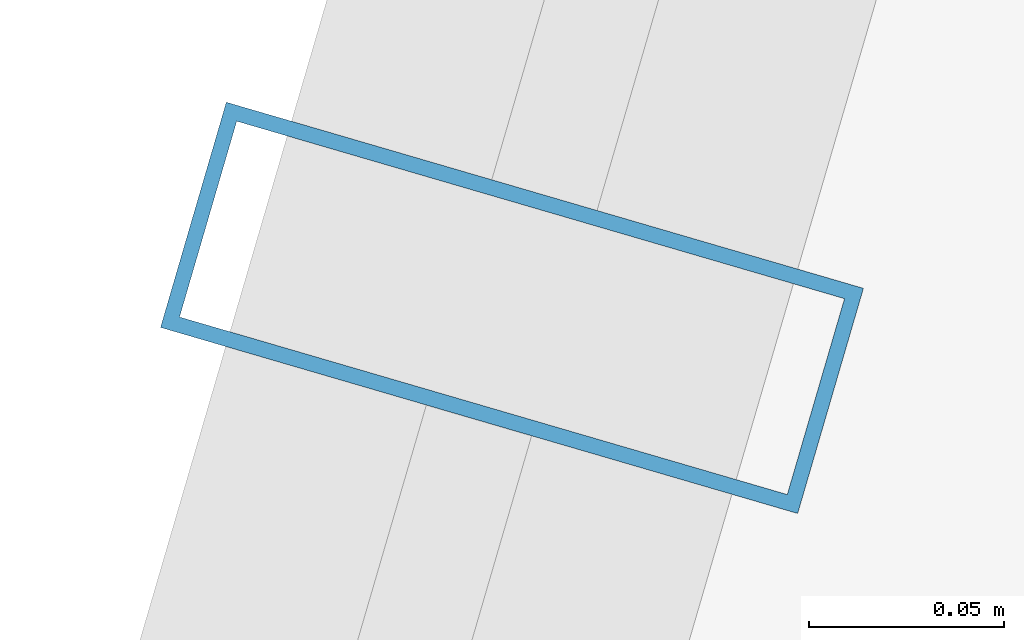
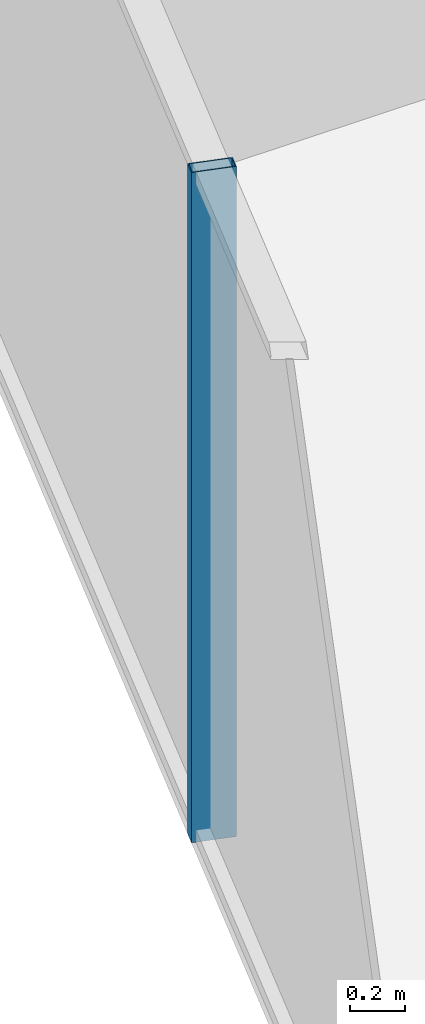
# One storey, part 10 of 37: 1 member, 1 element without a shape of its own.
"""IFC4 building model written with IfcOpenShell, lengths in metres."""

from ifc_helpers import new_model, si_unit, direction, frame, origin, origin_2d, place, context, subcontext, project, spatial, hollow_rectangle, extrude, source, transform, mapped, material, layer, layer_set, material_profile, profile_set, type_object, element, aggregate, save


model = new_model("IFC4")

# Units and contexts
model_context = context("Model", 3, precision=1e-05, world=origin(), true_north=direction((0.0, 1.0)))
body_context = subcontext(model_context, "Body", "Model", "MODEL_VIEW")
ifc_project = project(units=[si_unit("LENGTHUNIT", "METRE"), si_unit("AREAUNIT", "SQUARE_METRE"), si_unit("VOLUMEUNIT", "CUBIC_METRE"), si_unit("PLANEANGLEUNIT", "RADIAN"), si_unit("MASSUNIT", "GRAM", prefix="KILO")], contexts=[model_context])

# Site, building, storey
site_placement = place(None, origin())
site = spatial("IfcSite", under=ifc_project, at=site_placement, CompositionType="ELEMENT")
building_placement = place(site_placement, origin())
building = spatial("IfcBuilding", under=site, at=building_placement, Name="Veraguas Prism Commons", CompositionType="ELEMENT")
storey_placement = place(building_placement, frame((0.0, 0.0, 70.60009765625)))
storey = spatial("IfcBuildingStorey", under=building, at=storey_placement, Name="L19", CompositionType="ELEMENT", Elevation=70.60009765625)

# Curtain wall, member
ifc_material = material(Name="Anodised aluminium EN AW-6063 T6", Category="aluminium")
ifc_layer = layer(ifc_material, 0.169921875, Name="Unitised Flush Curtain Wall Zone 1", Category="aluminium")
ifc_layer_set = layer_set([ifc_layer], Name="Anodised aluminium EN AW-6063 T6")
curtain_wall_type = type_object("IfcCurtainWallType", Name="Unitised Flush Curtain Wall Zone 1", PredefinedType="NOTDEFINED", material=ifc_layer_set)
curtain_wall_placement = place(storey_placement, origin())
curtain_wall = element("IfcCurtainWall", 1, at=curtain_wall_placement, inside=storey, type_object=curtain_wall_type, Name="Tower Facade Curtain Wall L19-F3", PredefinedType="NOTDEFINED")
ifc_material_profile = material_profile(ifc_material, hollow_rectangle(XDim=0.06005859375, YDim=0.169921875, WallThickness=0.00390625, at=origin_2d()), Name="AL60X170X4")
ifc_profile_set = profile_set([ifc_material_profile], Name="Anodised aluminium EN AW-6063 T6")
member_type = type_object("IfcMemberType", Name="Curtain Wall Mullion Lower AL 60x170x4", PredefinedType="MULLION", material=ifc_profile_set)
shared_shape = source(origin(), body_context, "Body", "SweptSolid", [
    extrude(hollow_rectangle(XDim=0.06005859375, YDim=0.169921875, WallThickness=0.00390625, at=origin_2d()), origin(), (0.0, 0.0, 1.0), 3.0),
])
member_placement = place(storey_placement, frame((4.048828125, 29.82666015625, 0.0), z_axis=(0.0, 0.0, 1.0), x_axis=(-0.280333331925, -0.959902715389, 0.0)))
member = element("IfcMember", 2, at=member_placement, type_object=member_type, Name="CW-Z1 Mullion 3", PredefinedType="MULLION", context=body_context, shape_type="MappedRepresentation", body=[
    mapped(shared_shape, transform((0.0, 0.0, 0.0), scale=1.0)),
])
aggregate(curtain_wall, [member])

save(model, "model.ifc")
